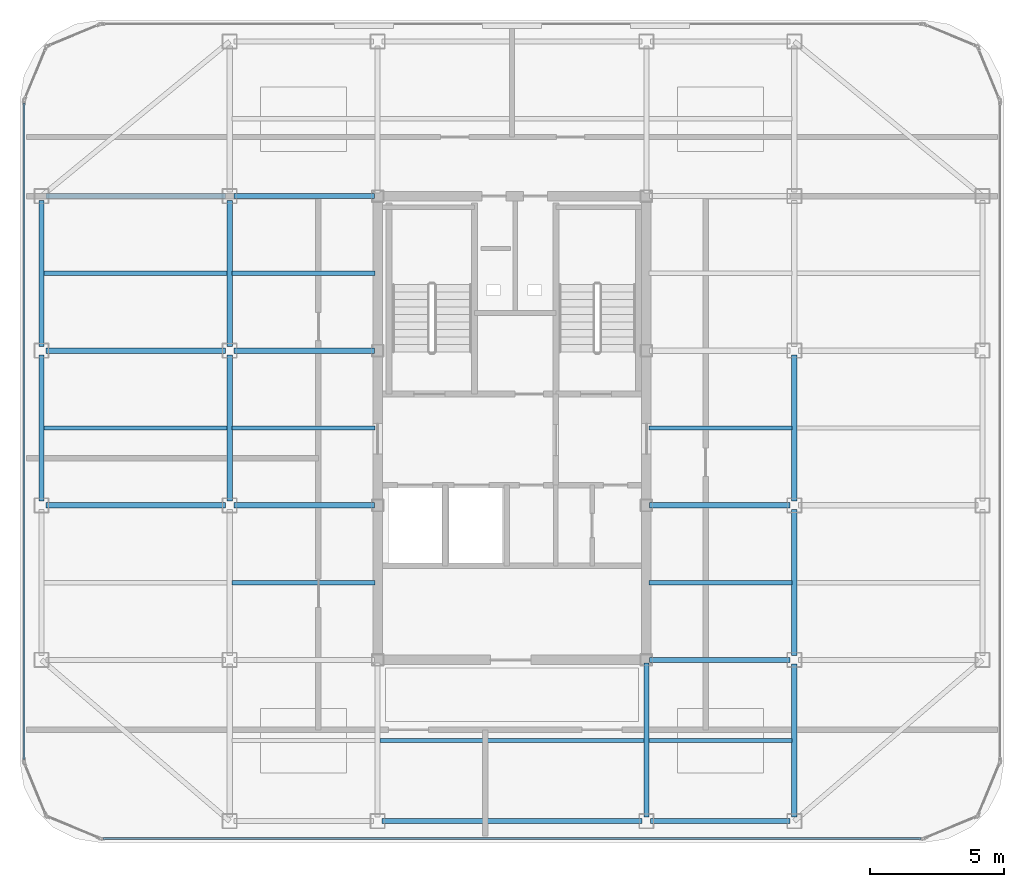
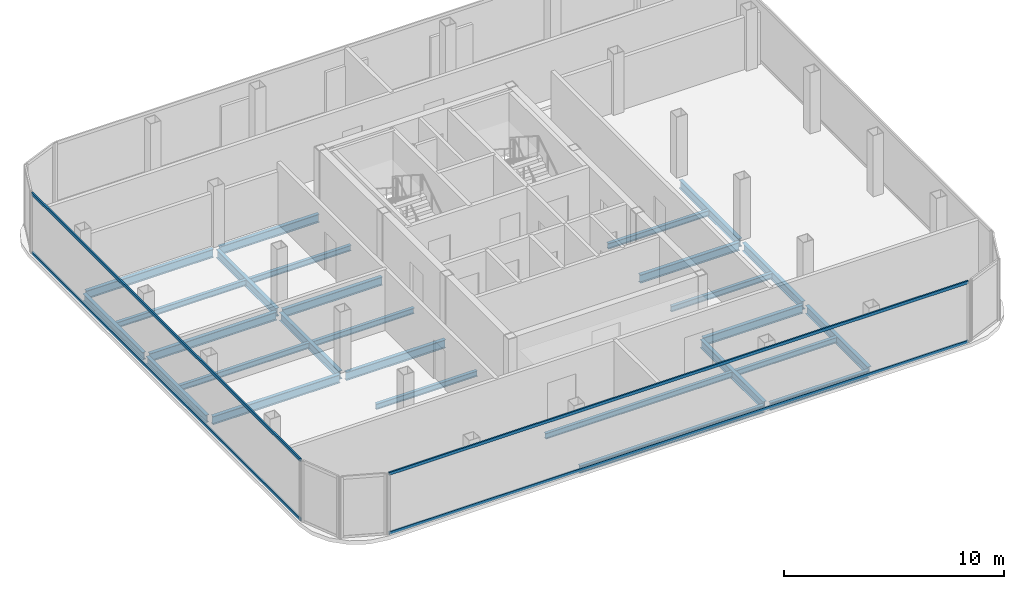
# One storey, part 3 of 11: 27 beams, 4 members, 2 elements without a shape of their own.
"""IFC4 building model written with IfcOpenShell, lengths in metres."""

from ifc_helpers import new_model, si_unit, direction, frame, origin, origin_2d, place, context, subcontext, project, spatial, hollow_rectangle, i_section, extrude, source, transform, mapped, material, layer, layer_set, material_profile, profile_set, type_object, element, aggregate, save


model = new_model("IFC4")

# Units and contexts
model_context = context("Model", 3, precision=1e-05, world=origin(), true_north=direction((0.0, 1.0)))
body_context = subcontext(model_context, "Body", "Model", "MODEL_VIEW")
ifc_project = project(units=[si_unit("LENGTHUNIT", "METRE"), si_unit("AREAUNIT", "SQUARE_METRE"), si_unit("VOLUMEUNIT", "CUBIC_METRE"), si_unit("PLANEANGLEUNIT", "RADIAN"), si_unit("MASSUNIT", "GRAM", prefix="KILO")], contexts=[model_context])

# Site, building, storey
site_placement = place(None, origin())
site = spatial("IfcSite", under=ifc_project, at=site_placement, CompositionType="ELEMENT")
building_placement = place(site_placement, origin())
building = spatial("IfcBuilding", under=site, at=building_placement, Name="Kolveth Station Tower", CompositionType="ELEMENT")
storey_placement = place(building_placement, frame((0.0, 0.0, 274.89990234375)))
storey = spatial("IfcBuildingStorey", under=building, at=storey_placement, Name="L79", CompositionType="ELEMENT", Elevation=274.89990234375)

# Beams
ifc_material_1 = material(Name="Steel S355", Category="steel")
ifc_material_profile_1 = material_profile(ifc_material_1, i_section(OverallWidth=0.180908203125, OverallDepth=0.4169921875, WebThickness=0.010986328125, FlangeThickness=0.018310546875, at=origin_2d()), Name="W410x85")
ifc_profile_set_1 = profile_set([ifc_material_profile_1], Name="Steel S355")
beam_type_1 = type_object("IfcBeamType", Name="Beam_B8", PredefinedType="BEAM", material=ifc_profile_set_1)
shared_shape_1 = source(origin(), body_context, "Body", "SweptSolid", [
    extrude(i_section(OverallWidth=0.180908203125, OverallDepth=0.4169921875, WebThickness=0.010986328125, FlangeThickness=0.018310546875, at=origin_2d()), origin(), (0.0, 0.0, 1.0), 5.18017578125),
])
beam_1_placement = place(storey_placement, frame((28.659912109375, 5.5, -0.428466796875), z_axis=(1.0, 0.0, 0.0), x_axis=(0.0, 1.0, 0.0)))
element("IfcBeam", 1, at=beam_1_placement, inside=storey, type_object=beam_type_1, Name="L79 Perimeter Spandrel BM-L79-PS-3", PredefinedType="BEAM", context=body_context, shape_type="MappedRepresentation", body=[
    mapped(shared_shape_1, transform((0.0, 0.0, 0.0), x_axis=(1.0, 0.0, 0.0), y_axis=(0.0, 1.0, 0.0), z_axis=(0.0, 0.0, 1.0), scale=1.0)),
])
shared_shape_2 = source(origin(), body_context, "Body", "SweptSolid", [
    extrude(i_section(OverallWidth=0.180908203125, OverallDepth=0.4169921875, WebThickness=0.010986328125, FlangeThickness=0.018310546875, at=origin_2d()), origin(), (0.0, 0.0, 1.0), 9.68017578125),
])
beam_2_placement = place(storey_placement, frame((18.659912109375, 5.5, -0.428466796875), z_axis=(1.0, 0.0, 0.0), x_axis=(0.0, 1.0, 0.0)))
element("IfcBeam", 2, at=beam_2_placement, inside=storey, type_object=beam_type_1, Name="L79 Perimeter Spandrel BM-L79-PS-2", PredefinedType="BEAM", context=body_context, shape_type="MappedRepresentation", body=[
    mapped(shared_shape_2, transform((0.0, 0.0, 0.0), x_axis=(1.0, 0.0, 0.0), y_axis=(0.0, 1.0, 0.0), z_axis=(0.0, 0.0, 1.0), scale=1.0)),
])
shared_shape_3 = source(origin(), body_context, "Body", "SweptSolid", [
    extrude(i_section(OverallWidth=0.180908203125, OverallDepth=0.4169921875, WebThickness=0.010986328125, FlangeThickness=0.018310546875, at=origin_2d()), origin(), (0.0, 0.0, 1.0), 5.43017578125),
])
for number, where, z_axis, x_axis, name in (
    (3, (6.0, 17.409912109375, -0.428466796875), (0.0, 1.0, 0.0), (-1.0, 0.0, 0.0), "L79 Perimeter Spandrel BM-L79-PW-2"),
    (4, (6.0, 23.159912109375, -0.428466796875), (0.0, 1.0, 0.0), (-1.0, 0.0, 0.0), "L79 Perimeter Spandrel BM-L79-PW-3"),
):
    element("IfcBeam", number, at=place(storey_placement, frame(where, z_axis=z_axis, x_axis=x_axis)), inside=storey, type_object=beam_type_1, Name=name, PredefinedType="BEAM", context=body_context, shape_type="MappedRepresentation", body=[
        mapped(shared_shape_3, transform((0.0, 0.0, 0.0), x_axis=(1.0, 0.0, 0.0), y_axis=(0.0, 1.0, 0.0), z_axis=(0.0, 0.0, 1.0), scale=1.0)),
    ])
ifc_material_profile_2 = material_profile(ifc_material_1, i_section(OverallWidth=0.19091796875, OverallDepth=0.4599609375, WebThickness=0.010009765625, FlangeThickness=0.01611328125, at=origin_2d()), Name="W460x82")
ifc_profile_set_2 = profile_set([ifc_material_profile_2], Name="Steel S355")
beam_type_2 = type_object("IfcBeamType", Name="Beam_B7", PredefinedType="BEAM", material=ifc_profile_set_2)
shared_shape_4 = source(origin(), body_context, "Body", "SweptSolid", [
    extrude(i_section(OverallWidth=0.19091796875, OverallDepth=0.4599609375, WebThickness=0.010009765625, FlangeThickness=0.01611328125, at=origin_2d()), origin(), (0.0, 0.0, 1.0), 6.68017578125),
])
for number, where, z_axis, x_axis, name in (
    (5, (6.159912109375, 17.25, -0.449951171875), (1.0, 0.0, 0.0), (0.0, 1.0, 0.0), "L79 Primary Girder BM-L79-GY172-1"),
    (6, (6.159912109375, 23.0, -0.449951171875), (1.0, 0.0, 0.0), (0.0, 1.0, 0.0), "L79 Primary Girder BM-L79-GY230-1"),
    (7, (6.159912109375, 28.75, -0.449951171875), (1.0, 0.0, 0.0), (0.0, 1.0, 0.0), "L79 Primary Girder BM-L79-GY287-1"),
):
    element("IfcBeam", number, at=place(storey_placement, frame(where, z_axis=z_axis, x_axis=x_axis)), inside=storey, type_object=beam_type_2, Name=name, PredefinedType="BEAM", context=body_context, shape_type="MappedRepresentation", body=[
        mapped(shared_shape_4, transform((0.0, 0.0, 0.0), x_axis=(1.0, 0.0, 0.0), y_axis=(0.0, 1.0, 0.0), z_axis=(0.0, 0.0, 1.0), scale=1.0)),
    ])
shared_shape_5 = source(origin(), body_context, "Body", "SweptSolid", [
    extrude(i_section(OverallWidth=0.19091796875, OverallDepth=0.4599609375, WebThickness=0.010009765625, FlangeThickness=0.01611328125, at=origin_2d()), origin(), (0.0, 0.0, 1.0), 5.22998046875),
])
for number, where, z_axis, x_axis, name in (
    (8, (28.610107421875, 11.5, -0.449951171875), (1.0, 0.0, 0.0), (0.0, 1.0, 0.0), "L79 Primary Girder BM-L79-GY115-4"),
    (9, (13.159912109375, 17.25, -0.449951171875), (1.0, 0.0, 0.0), (0.0, 1.0, 0.0), "L79 Primary Girder BM-L79-GY172-2"),
    (10, (28.610107421875, 17.25, -0.449951171875), (1.0, 0.0, 0.0), (0.0, 1.0, 0.0), "L79 Primary Girder BM-L79-GY172-4"),
    (11, (13.159912109375, 23.0, -0.449951171875), (1.0, 0.0, 0.0), (0.0, 1.0, 0.0), "L79 Primary Girder BM-L79-GY230-2"),
    (12, (13.159912109375, 28.75, -0.449951171875), (1.0, 0.0, 0.0), (0.0, 1.0, 0.0), "L79 Primary Girder BM-L79-GY287-2"),
):
    element("IfcBeam", number, at=place(storey_placement, frame(where, z_axis=z_axis, x_axis=x_axis)), inside=storey, type_object=beam_type_2, Name=name, PredefinedType="BEAM", context=body_context, shape_type="MappedRepresentation", body=[
        mapped(shared_shape_5, transform((0.0, 0.0, 0.0), x_axis=(1.0, 0.0, 0.0), y_axis=(0.0, 1.0, 0.0), z_axis=(0.0, 0.0, 1.0), scale=1.0)),
    ])
shared_shape_6 = source(origin(), body_context, "Body", "SweptSolid", [
    extrude(i_section(OverallWidth=0.19091796875, OverallDepth=0.4599609375, WebThickness=0.010009765625, FlangeThickness=0.01611328125, at=origin_2d()), origin(), (0.0, 0.0, 1.0), 5.68017578125),
])
beam_3_placement = place(storey_placement, frame((34.0, 5.659912109375, -0.449951171875), z_axis=(0.0, 1.0, 0.0), x_axis=(-1.0, 0.0, 0.0)))
element("IfcBeam", 13, at=beam_3_placement, inside=storey, type_object=beam_type_2, Name="L79 Primary Girder BM-L79-GX340-1", PredefinedType="BEAM", context=body_context, shape_type="MappedRepresentation", body=[
    mapped(shared_shape_6, transform((0.0, 0.0, 0.0), x_axis=(1.0, 0.0, 0.0), y_axis=(0.0, 1.0, 0.0), z_axis=(0.0, 0.0, 1.0), scale=1.0)),
])
shared_shape_7 = source(origin(), body_context, "Body", "SweptSolid", [
    extrude(i_section(OverallWidth=0.19091796875, OverallDepth=0.4599609375, WebThickness=0.010009765625, FlangeThickness=0.01611328125, at=origin_2d()), origin(), (0.0, 0.0, 1.0), 5.43017578125),
])
for number, where, z_axis, x_axis, name in (
    (14, (13.0, 17.409912109375, -0.449951171875), (0.0, 1.0, 0.0), (-1.0, 0.0, 0.0), "L79 Primary Girder BM-L79-GX130-3"),
    (15, (13.0, 23.159912109375, -0.449951171875), (0.0, 1.0, 0.0), (-1.0, 0.0, 0.0), "L79 Primary Girder BM-L79-GX130-4"),
    (16, (34.0, 11.659912109375, -0.449951171875), (0.0, 1.0, 0.0), (-1.0, 0.0, 0.0), "L79 Primary Girder BM-L79-GX340-2"),
    (17, (34.0, 17.409912109375, -0.449951171875), (0.0, 1.0, 0.0), (-1.0, 0.0, 0.0), "L79 Primary Girder BM-L79-GX340-3"),
):
    element("IfcBeam", number, at=place(storey_placement, frame(where, z_axis=z_axis, x_axis=x_axis)), inside=storey, type_object=beam_type_2, Name=name, PredefinedType="BEAM", context=body_context, shape_type="MappedRepresentation", body=[
        mapped(shared_shape_7, transform((0.0, 0.0, 0.0), x_axis=(1.0, 0.0, 0.0), y_axis=(0.0, 1.0, 0.0), z_axis=(0.0, 0.0, 1.0), scale=1.0)),
    ])
shared_shape_8 = source(origin(), body_context, "Body", "SweptSolid", [
    extrude(i_section(OverallWidth=0.19091796875, OverallDepth=0.4599609375, WebThickness=0.010009765625, FlangeThickness=0.01611328125, at=origin_2d()), origin(), (0.0, 0.0, 1.0), 5.72998046875),
])
beam_4_placement = place(storey_placement, frame((28.5, 5.659912109375, -0.449951171875), z_axis=(0.0, 1.0, 0.0), x_axis=(-1.0, 0.0, 0.0)))
element("IfcBeam", 18, at=beam_4_placement, inside=storey, type_object=beam_type_2, Name="L79 Primary Girder BM-L79-GX285-1", PredefinedType="BEAM", context=body_context, shape_type="MappedRepresentation", body=[
    mapped(shared_shape_8, transform((0.0, 0.0, 0.0), x_axis=(1.0, 0.0, 0.0), y_axis=(0.0, 1.0, 0.0), z_axis=(0.0, 0.0, 1.0), scale=1.0)),
])
ifc_material_profile_3 = material_profile(ifc_material_1, i_section(OverallWidth=0.1650390625, OverallDepth=0.31005859375, WebThickness=0.005859375, FlangeThickness=0.009765625, at=origin_2d()), Name="W310x39")
ifc_profile_set_3 = profile_set([ifc_material_profile_3], Name="Steel S355")
beam_type_3 = type_object("IfcBeamType", Name="Beam_J3", PredefinedType="JOIST", material=ifc_profile_set_3)
shared_shape_9 = source(origin(), body_context, "Body", "SweptSolid", [
    extrude(i_section(OverallWidth=0.1650390625, OverallDepth=0.31005859375, WebThickness=0.005859375, FlangeThickness=0.009765625, at=origin_2d()), origin(), (0.0, 0.0, 1.0), 6.818115234375),
])
for number, where, z_axis, x_axis, name in (
    (19, (6.08837890625, 20.125, -0.375), (1.0, 0.0, 0.0), (0.0, 1.0, 0.0), "L79 Secondary Joist JST-L79-1-3"),
    (20, (6.08837890625, 25.875, -0.375), (1.0, 0.0, 0.0), (0.0, 1.0, 0.0), "L79 Secondary Joist JST-L79-1-4"),
):
    element("IfcBeam", number, at=place(storey_placement, frame(where, z_axis=z_axis, x_axis=x_axis)), inside=storey, type_object=beam_type_3, Name=name, PredefinedType="JOIST", context=body_context, shape_type="MappedRepresentation", body=[
        mapped(shared_shape_9, transform((0.0, 0.0, 0.0), x_axis=(1.0, 0.0, 0.0), y_axis=(0.0, 1.0, 0.0), z_axis=(0.0, 0.0, 1.0), scale=1.0)),
    ])
shared_shape_10 = source(origin(), body_context, "Body", "SweptSolid", [
    extrude(i_section(OverallWidth=0.1650390625, OverallDepth=0.31005859375, WebThickness=0.005859375, FlangeThickness=0.009765625, at=origin_2d()), origin(), (0.0, 0.0, 1.0), 5.31298828125),
])
for number, where, z_axis, x_axis, name in (
    (21, (13.093505859375, 14.375, -0.375), (1.0, 0.0, 0.0), (0.0, 1.0, 0.0), "L79 Secondary Joist JST-L79-2-2"),
    (22, (13.093505859375, 20.125, -0.375), (1.0, 0.0, 0.0), (0.0, 1.0, 0.0), "L79 Secondary Joist JST-L79-2-3"),
    (23, (13.093505859375, 25.875, -0.375), (1.0, 0.0, 0.0), (0.0, 1.0, 0.0), "L79 Secondary Joist JST-L79-2-4"),
    (24, (28.593505859375, 8.5, -0.375), (1.0, 0.0, 0.0), (0.0, 1.0, 0.0), "L79 Secondary Joist JST-L79-4-1"),
    (25, (28.593505859375, 14.375, -0.375), (1.0, 0.0, 0.0), (0.0, 1.0, 0.0), "L79 Secondary Joist JST-L79-4-2"),
    (26, (28.593505859375, 20.125, -0.375), (1.0, 0.0, 0.0), (0.0, 1.0, 0.0), "L79 Secondary Joist JST-L79-4-3"),
):
    element("IfcBeam", number, at=place(storey_placement, frame(where, z_axis=z_axis, x_axis=x_axis)), inside=storey, type_object=beam_type_3, Name=name, PredefinedType="JOIST", context=body_context, shape_type="MappedRepresentation", body=[
        mapped(shared_shape_10, transform((0.0, 0.0, 0.0), x_axis=(1.0, 0.0, 0.0), y_axis=(0.0, 1.0, 0.0), z_axis=(0.0, 0.0, 1.0), scale=1.0)),
    ])
shared_shape_11 = source(origin(), body_context, "Body", "SweptSolid", [
    extrude(i_section(OverallWidth=0.1650390625, OverallDepth=0.31005859375, WebThickness=0.005859375, FlangeThickness=0.009765625, at=origin_2d()), origin(), (0.0, 0.0, 1.0), 9.81298828125),
])
beam_5_placement = place(storey_placement, frame((18.593505859375, 8.5, -0.375), z_axis=(1.0, 0.0, 0.0), x_axis=(0.0, 1.0, 0.0)))
element("IfcBeam", 27, at=beam_5_placement, inside=storey, type_object=beam_type_3, Name="L79 Secondary Joist JST-L79-3-1", PredefinedType="JOIST", context=body_context, shape_type="MappedRepresentation", body=[
    mapped(shared_shape_11, transform((0.0, 0.0, 0.0), x_axis=(1.0, 0.0, 0.0), y_axis=(0.0, 1.0, 0.0), z_axis=(0.0, 0.0, 1.0), scale=1.0)),
])

# Curtain wall, members
ifc_material_2 = material(Name="Black anodized aluminium 6063-T6 and dark crown glass", Category="aluminium")
ifc_layer = layer(ifc_material_2, 0.169921875)
ifc_layer_set = layer_set([ifc_layer], Name="Black anodized aluminium 6063-T6 and dark crown glass")
curtain_wall_type = type_object("IfcCurtainWallType", Name="CurtainWall_CW-CR", PredefinedType="NOTDEFINED", material=ifc_layer_set)
curtain_wall_1_placement = place(storey_placement, origin())
curtain_wall_1 = element("IfcCurtainWall", 28, at=curtain_wall_1_placement, inside=storey, type_object=curtain_wall_type, Name="L79 Stepped Crown Curtain Wall 9", PredefinedType="NOTDEFINED")
ifc_material_3 = material(Name="Black anodized aluminium 6063-T6", Category="aluminium")
ifc_material_profile_4 = material_profile(ifc_material_3, hollow_rectangle(XDim=0.080078125, YDim=0.1650390625, WallThickness=0.0048828125, at=origin_2d()), Name="ALU-80x165x5")
ifc_profile_set_4 = profile_set([ifc_material_profile_4], Name="Black anodized aluminium 6063-T6")
member_type = type_object("IfcMemberType", Name="Transom_TR-CR", PredefinedType="USERDEFINED", material=ifc_profile_set_4)
shared_shape_12 = source(origin(), body_context, "Body", "SweptSolid", [
    extrude(hollow_rectangle(XDim=0.080078125, YDim=0.1650390625, WallThickness=0.0048828125, at=origin_2d()), origin(), (0.0, 0.0, 1.0), 24.43017578125),
])
member_1_placement = place(storey_placement, frame((5.35009765625, 32.215087890625, 0.0400390625), z_axis=(0.0, -1.0, 0.0), x_axis=(1.0, 0.0, 0.0)))
member_1 = element("IfcMember", 29, at=member_1_placement, type_object=member_type, Name="CW-CR transom 1.1", ObjectType="TRANSOM", PredefinedType="USERDEFINED", context=body_context, shape_type="MappedRepresentation", body=[
    mapped(shared_shape_12, transform((0.0, 0.0, 0.0), x_axis=(1.0, 0.0, 0.0), y_axis=(0.0, 1.0, 0.0), z_axis=(0.0, 0.0, 1.0), scale=1.0)),
])
member_2_placement = place(storey_placement, frame((5.35009765625, 32.215087890625, 3.340087890625), z_axis=(0.0, -1.0, 0.0), x_axis=(1.0, 0.0, 0.0)))
member_2 = element("IfcMember", 30, at=member_2_placement, type_object=member_type, Name="CW-CR transom 1.2", ObjectType="TRANSOM", PredefinedType="USERDEFINED", context=body_context, shape_type="MappedRepresentation", body=[
    mapped(shared_shape_12, transform((0.0, 0.0, 0.0), x_axis=(1.0, 0.0, 0.0), y_axis=(0.0, 1.0, 0.0), z_axis=(0.0, 0.0, 1.0), scale=1.0)),
])
aggregate(curtain_wall_1, [member_1, member_2])

curtain_wall_2_placement = place(storey_placement, origin())
curtain_wall_2 = element("IfcCurtainWall", 31, at=curtain_wall_2_placement, inside=storey, type_object=curtain_wall_type, Name="L79 Stepped Crown Curtain Wall 12", PredefinedType="NOTDEFINED")
shared_shape_13 = source(origin(), body_context, "Body", "SweptSolid", [
    extrude(hollow_rectangle(XDim=0.080078125, YDim=0.1650390625, WallThickness=0.0048828125, at=origin_2d()), origin(), (0.0, 0.0, 1.0), 30.43017578125),
])
member_3_placement = place(storey_placement, frame((8.284912109375, 4.85009765625, 0.0400390625), z_axis=(1.0, 0.0, 0.0), x_axis=(0.0, 1.0, 0.0)))
member_3 = element("IfcMember", 32, at=member_3_placement, type_object=member_type, Name="CW-CR transom 1.1", ObjectType="TRANSOM", PredefinedType="USERDEFINED", context=body_context, shape_type="MappedRepresentation", body=[
    mapped(shared_shape_13, transform((0.0, 0.0, 0.0), x_axis=(1.0, 0.0, 0.0), y_axis=(0.0, 1.0, 0.0), z_axis=(0.0, 0.0, 1.0), scale=1.0)),
])
member_4_placement = place(storey_placement, frame((8.284912109375, 4.85009765625, 3.340087890625), z_axis=(1.0, 0.0, 0.0), x_axis=(0.0, 1.0, 0.0)))
member_4 = element("IfcMember", 33, at=member_4_placement, type_object=member_type, Name="CW-CR transom 1.2", ObjectType="TRANSOM", PredefinedType="USERDEFINED", context=body_context, shape_type="MappedRepresentation", body=[
    mapped(shared_shape_13, transform((0.0, 0.0, 0.0), x_axis=(1.0, 0.0, 0.0), y_axis=(0.0, 1.0, 0.0), z_axis=(0.0, 0.0, 1.0), scale=1.0)),
])
aggregate(curtain_wall_2, [member_3, member_4])

save(model, "model.ifc")
